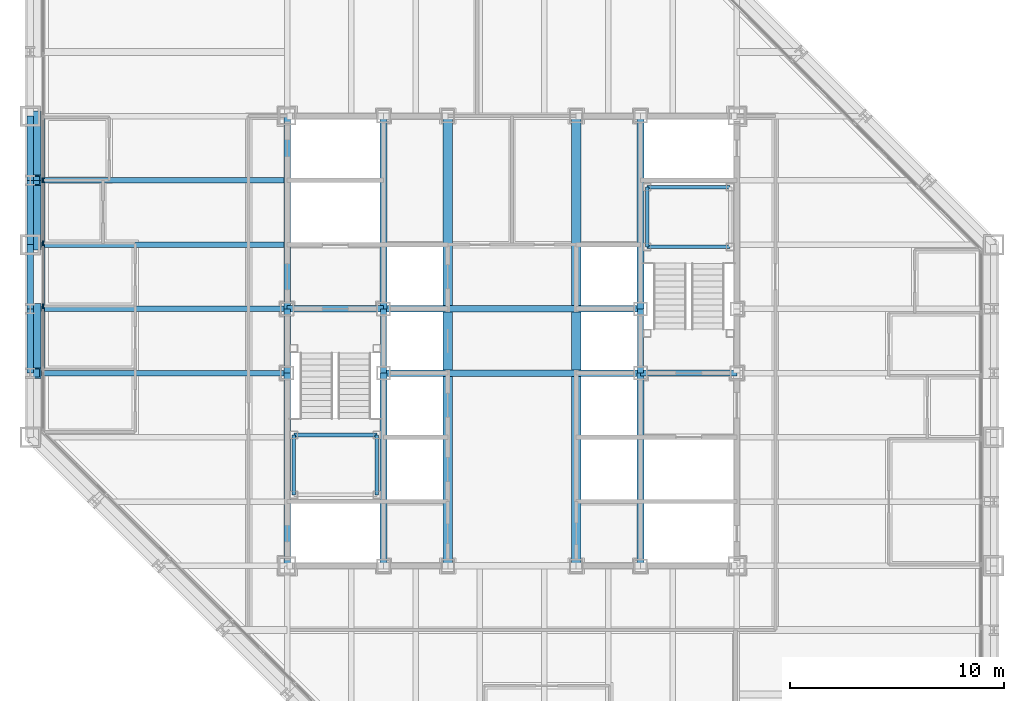
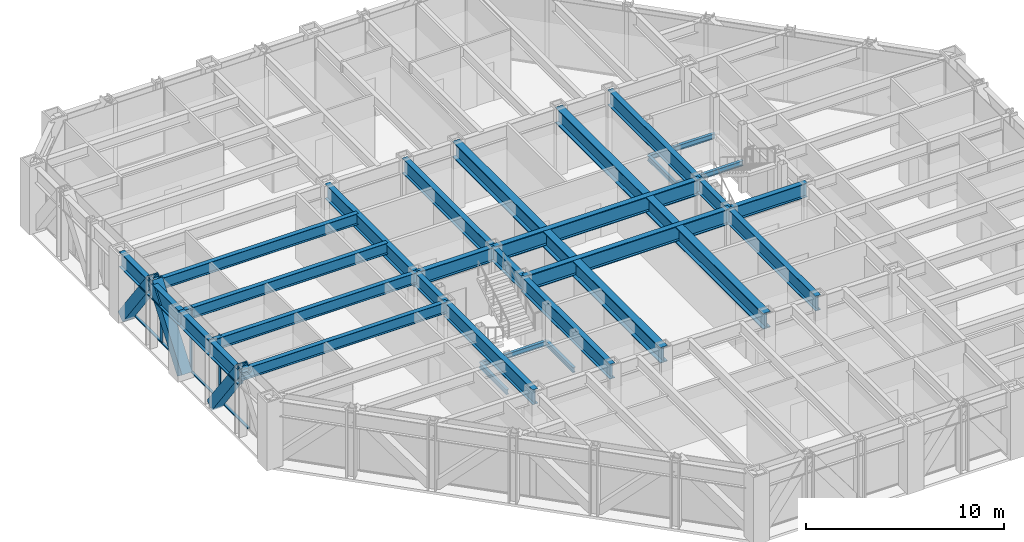
# One storey, part 5 of 16: 33 beams, 10 members, 1 element without a shape of its own.
"""IFC4 building model written with IfcOpenShell, lengths in metres."""

from ifc_helpers import new_model, si_unit, direction, frame, origin, origin_2d, place, context, subcontext, project, spatial, rectangle, hollow_rectangle, i_section, extrude, material, layer, layer_set, material_profile, profile_set, type_object, element, aggregate, save


model = new_model("IFC4")

# Units and contexts
model_context = context("Model", 3, precision=1e-05, world=origin(), true_north=direction((0.0, 1.0)))
body_context = subcontext(model_context, "Body", "Model", "MODEL_VIEW")
ifc_project = project(units=[si_unit("LENGTHUNIT", "METRE"), si_unit("AREAUNIT", "SQUARE_METRE"), si_unit("VOLUMEUNIT", "CUBIC_METRE"), si_unit("PLANEANGLEUNIT", "RADIAN"), si_unit("MASSUNIT", "GRAM", prefix="KILO")], contexts=[model_context])

# Site, building, storey
site_placement = place(None, origin())
site = spatial("IfcSite", under=ifc_project, at=site_placement, CompositionType="ELEMENT")
building_placement = place(site_placement, origin())
building = spatial("IfcBuilding", under=site, at=building_placement, Name="Chuquiago Exchange Tower", CompositionType="ELEMENT")
storey_placement = place(building_placement, frame((0.0, 0.0, 161.39990234375)))
storey = spatial("IfcBuildingStorey", under=building, at=storey_placement, Name="L35", CompositionType="ELEMENT", Elevation=161.39990234375)

# Beams
ifc_material_1 = material(Name="Steel ASTM A992", Category="steel")
ifc_material_profile_1 = material_profile(ifc_material_1, i_section(OverallWidth=0.25390625, OverallDepth=0.683349609375, WebThickness=0.012451171875, FlangeThickness=0.018798828125, at=origin_2d()), Name="W27X94")
ifc_profile_set_1 = profile_set([ifc_material_profile_1], Name="Steel ASTM A992")
beam_type_1 = type_object("IfcBeamType", Name="B1 W27X94", PredefinedType="BEAM", material=ifc_profile_set_1)
for number, where, z_axis, x_axis, name in (
    (1, (12.0, 21.0, 3.698486328125), (-1.0, 0.0, 0.0), (0.0, -1.0, 0.0), "FB-L36-infill-12_21--0_21-0"),
    (2, (12.0, 24.0, 3.698486328125), (-1.0, 0.0, 0.0), (0.0, -1.0, 0.0), "FB-L36-infill-12_24--0_24-0"),
    (3, (12.0, 27.0, 3.698486328125), (-1.0, 0.0, 0.0), (0.0, -1.0, 0.0), "FB-L36-infill-12_27--0_27-0"),
    (4, (12.0, 30.0, 3.698486328125), (-1.0, 0.0, 0.0), (0.0, -1.0, 0.0), "FB-L36-infill-12_30--0_30-0"),
):
    element("IfcBeam", number, at=place(storey_placement, frame(where, z_axis=z_axis, x_axis=x_axis)), inside=storey, type_object=beam_type_1, Name=name, PredefinedType="BEAM", context=body_context, shape_type="SweptSolid", body=[
        extrude(i_section(OverallWidth=0.25390625, OverallDepth=0.683349609375, WebThickness=0.012451171875, FlangeThickness=0.018798828125, at=origin_2d()), origin(), (0.0, 0.0, 1.0), 12.0),
    ])
ifc_material_2 = material(Name="Steel ASTM A992", Category="steel")
ifc_material_profile_2 = material_profile(ifc_material_2, i_section(OverallWidth=0.307373046875, OverallDepth=0.927001953125, WebThickness=0.01953125, FlangeThickness=0.031982421875, at=origin_2d()), Name="W36X194")
ifc_profile_set_2 = profile_set([ifc_material_profile_2], Name="Steel ASTM A992")
beam_type_2 = type_object("IfcBeamType", Name="B10 W36X194", PredefinedType="BEAM", material=ifc_profile_set_2)
for number, where, z_axis, x_axis, name in (
    (5, (12.0, 12.0, 3.576416015625), (0.0, 1.0, 0.0), (-1.0, 0.0, 0.0), "CB-L36-12_12-12_21"),
    (6, (12.0, 24.0, 3.576416015625), (0.0, 1.0, 0.0), (-1.0, 0.0, 0.0), "CB-L36-12_24-12_33"),
    (7, (16.5, 12.0, 3.576416015625), (0.0, 1.0, 0.0), (-1.0, 0.0, 0.0), "CB-L36-16.5_12-16.5_21"),
    (8, (16.5, 24.0, 3.576416015625), (0.0, 1.0, 0.0), (-1.0, 0.0, 0.0), "CB-L36-16.5_24-16.5_33"),
    (9, (28.5, 12.0, 3.576416015625), (0.0, 1.0, 0.0), (-1.0, 0.0, 0.0), "CB-L36-28.5_12-28.5_21"),
    (10, (28.5, 24.0, 3.576416015625), (0.0, 1.0, 0.0), (-1.0, 0.0, 0.0), "CB-L36-28.5_24-28.5_33"),
):
    element("IfcBeam", number, at=place(storey_placement, frame(where, z_axis=z_axis, x_axis=x_axis)), inside=storey, type_object=beam_type_2, Name=name, PredefinedType="BEAM", context=body_context, shape_type="SweptSolid", body=[
        extrude(i_section(OverallWidth=0.307373046875, OverallDepth=0.927001953125, WebThickness=0.01953125, FlangeThickness=0.031982421875, at=origin_2d()), origin(), (0.0, 0.0, 1.0), 9.0),
    ])
ifc_material_3 = material(Name="Steel ASTM A992", Category="steel")
ifc_material_profile_3 = material_profile(ifc_material_3, i_section(OverallWidth=0.309814453125, OverallDepth=0.949951171875, WebThickness=0.0244140625, FlangeThickness=0.0439453125, at=origin_2d()), Name="W36X256")
ifc_profile_set_3 = profile_set([ifc_material_profile_3], Name="Steel ASTM A992")
beam_type_3 = type_object("IfcBeamType", Name="B11 W36X256", PredefinedType="BEAM", material=ifc_profile_set_3)
for number, where, z_axis, x_axis, name in (
    (11, (16.5, 21.0, 3.565185546875), (1.0, 0.0, 0.0), (0.0, 1.0, 0.0), "CB-L36-16.5_21-28.5_21"),
    (12, (16.5, 24.0, 3.565185546875), (1.0, 0.0, 0.0), (0.0, 1.0, 0.0), "CB-L36-16.5_24-28.5_24"),
):
    element("IfcBeam", number, at=place(storey_placement, frame(where, z_axis=z_axis, x_axis=x_axis)), inside=storey, type_object=beam_type_3, Name=name, PredefinedType="BEAM", context=body_context, shape_type="SweptSolid", body=[
        extrude(i_section(OverallWidth=0.309814453125, OverallDepth=0.949951171875, WebThickness=0.0244140625, FlangeThickness=0.0439453125, at=origin_2d()), origin(), (0.0, 0.0, 1.0), 12.0),
    ])
ifc_material_4 = material(Name="Steel ASTM A992", Category="steel")
ifc_material_profile_4 = material_profile(ifc_material_4, i_section(OverallWidth=0.4267578125, OverallDepth=0.975341796875, WebThickness=0.031005859375, FlangeThickness=0.055908203125, at=origin_2d()), Name="W36X395")
ifc_profile_set_4 = profile_set([ifc_material_profile_4], Name="Steel ASTM A992")
beam_type_4 = type_object("IfcBeamType", Name="B12 W36X395", PredefinedType="BEAM", material=ifc_profile_set_4)
beam_1_placement = place(storey_placement, frame((19.5, 12.0, 3.552490234375), z_axis=(0.0, 1.0, 0.0), x_axis=(-1.0, 0.0, 0.0)))
element("IfcBeam", 13, at=beam_1_placement, inside=storey, type_object=beam_type_4, Name="CB-L36-19.5_12-19.5_20.8451", PredefinedType="BEAM", context=body_context, shape_type="SweptSolid", body=[
    extrude(i_section(OverallWidth=0.4267578125, OverallDepth=0.975341796875, WebThickness=0.031005859375, FlangeThickness=0.055908203125, at=origin_2d()), origin(), (0.0, 0.0, 1.0), 8.84521484375),
])
beam_2_placement = place(storey_placement, frame((19.5, 21.15478515625, 3.552490234375), z_axis=(0.0, 1.0, 0.0), x_axis=(-1.0, 0.0, 0.0)))
element("IfcBeam", 14, at=beam_2_placement, inside=storey, type_object=beam_type_4, Name="CB-L36-19.5_21.1549-19.5_23.8451", PredefinedType="BEAM", context=body_context, shape_type="SweptSolid", body=[
    extrude(i_section(OverallWidth=0.4267578125, OverallDepth=0.975341796875, WebThickness=0.031005859375, FlangeThickness=0.055908203125, at=origin_2d()), origin(), (0.0, 0.0, 1.0), 2.6904296875),
])
for number, where, z_axis, x_axis, name in (
    (15, (19.5, 24.15478515625, 3.552490234375), (0.0, 1.0, 0.0), (-1.0, 0.0, 0.0), "CB-L36-19.5_24.1549-19.5_33"),
    (16, (25.5, 12.0, 3.552490234375), (0.0, 1.0, 0.0), (-1.0, 0.0, 0.0), "CB-L36-25.5_12-25.5_20.8451"),
):
    element("IfcBeam", number, at=place(storey_placement, frame(where, z_axis=z_axis, x_axis=x_axis)), inside=storey, type_object=beam_type_4, Name=name, PredefinedType="BEAM", context=body_context, shape_type="SweptSolid", body=[
        extrude(i_section(OverallWidth=0.4267578125, OverallDepth=0.975341796875, WebThickness=0.031005859375, FlangeThickness=0.055908203125, at=origin_2d()), origin(), (0.0, 0.0, 1.0), 8.84521484375),
    ])
beam_3_placement = place(storey_placement, frame((25.5, 21.15478515625, 3.552490234375), z_axis=(0.0, 1.0, 0.0), x_axis=(-1.0, 0.0, 0.0)))
element("IfcBeam", 17, at=beam_3_placement, inside=storey, type_object=beam_type_4, Name="CB-L36-25.5_21.1549-25.5_23.8451", PredefinedType="BEAM", context=body_context, shape_type="SweptSolid", body=[
    extrude(i_section(OverallWidth=0.4267578125, OverallDepth=0.975341796875, WebThickness=0.031005859375, FlangeThickness=0.055908203125, at=origin_2d()), origin(), (0.0, 0.0, 1.0), 2.6904296875),
])
beam_4_placement = place(storey_placement, frame((25.5, 24.15478515625, 3.552490234375), z_axis=(0.0, 1.0, 0.0), x_axis=(-1.0, 0.0, 0.0)))
element("IfcBeam", 18, at=beam_4_placement, inside=storey, type_object=beam_type_4, Name="CB-L36-25.5_24.1549-25.5_33", PredefinedType="BEAM", context=body_context, shape_type="SweptSolid", body=[
    extrude(i_section(OverallWidth=0.4267578125, OverallDepth=0.975341796875, WebThickness=0.031005859375, FlangeThickness=0.055908203125, at=origin_2d()), origin(), (0.0, 0.0, 1.0), 8.84521484375),
])
ifc_material_5 = material(Name="Steel ASTM A992", Category="steel")
ifc_material_profile_5 = material_profile(ifc_material_5, i_section(OverallWidth=0.2919921875, OverallDepth=0.8583984375, WebThickness=0.01708984375, FlangeThickness=0.031005859375, at=origin_2d()), Name="W33X169")
ifc_profile_set_5 = profile_set([ifc_material_profile_5], Name="Steel ASTM A992")
beam_type_5 = type_object("IfcBeamType", Name="B3 W33X169", PredefinedType="BEAM", material=ifc_profile_set_5)
for number, where, z_axis, x_axis, name in (
    (19, (12.0, 21.0, 3.61083984375), (0.0, 1.0, 0.0), (-1.0, 0.0, 0.0), "CB-L36-12_21-12_24"),
    (20, (16.5, 21.0, 3.61083984375), (0.0, 1.0, 0.0), (-1.0, 0.0, 0.0), "CB-L36-16.5_21-16.5_24"),
    (21, (28.5, 21.0, 3.61083984375), (0.0, 1.0, 0.0), (-1.0, 0.0, 0.0), "CB-L36-28.5_21-28.5_24"),
):
    element("IfcBeam", number, at=place(storey_placement, frame(where, z_axis=z_axis, x_axis=x_axis)), inside=storey, type_object=beam_type_5, Name=name, PredefinedType="BEAM", context=body_context, shape_type="SweptSolid", body=[
        extrude(i_section(OverallWidth=0.2919921875, OverallDepth=0.8583984375, WebThickness=0.01708984375, FlangeThickness=0.031005859375, at=origin_2d()), origin(), (0.0, 0.0, 1.0), 3.0),
    ])
for number, where, z_axis, x_axis, name in (
    (22, (28.5, 21.0, 3.61083984375), (1.0, 0.0, 0.0), (0.0, 1.0, 0.0), "CB-L36-28.5_21-33_21"),
    (23, (12.0, 24.0, 3.61083984375), (1.0, 0.0, 0.0), (0.0, 1.0, 0.0), "CB-L36-12_24-16.5_24"),
):
    element("IfcBeam", number, at=place(storey_placement, frame(where, z_axis=z_axis, x_axis=x_axis)), inside=storey, type_object=beam_type_5, Name=name, PredefinedType="BEAM", context=body_context, shape_type="SweptSolid", body=[
        extrude(i_section(OverallWidth=0.2919921875, OverallDepth=0.8583984375, WebThickness=0.01708984375, FlangeThickness=0.031005859375, at=origin_2d()), origin(), (0.0, 0.0, 1.0), 4.5),
    ])

# Curtain wall, members
ifc_material_6 = material(Name="Aluminium curtain wall system", Category="aluminium")
ifc_layer = layer(ifc_material_6, 0.22509765625)
ifc_layer_set = layer_set([ifc_layer], Name="CW2 office curtain wall")
curtain_wall_type = type_object("IfcCurtainWallType", Name="CW2 office curtain wall", PredefinedType="NOTDEFINED", material=ifc_layer_set)
curtain_wall_placement = place(storey_placement, origin())
curtain_wall = element("IfcCurtainWall", 24, at=curtain_wall_placement, inside=storey, type_object=curtain_wall_type, Name="CW2 curtain wall L35", PredefinedType="NOTDEFINED")
ifc_material_7 = material(Name="Aluminium mullion, pale anodised", Category="aluminium")
ifc_material_profile_6 = material_profile(ifc_material_7, rectangle(XDim=0.06494140625, YDim=0.22509765625, at=origin_2d()), Name="AL 65x225")
ifc_profile_set_6 = profile_set([ifc_material_profile_6], Name="Aluminium mullion, pale anodised")
member_type_1 = type_object("IfcMemberType", Name="CW2-M mullion 65x225", PredefinedType="MULLION", material=ifc_profile_set_6)
member_1_placement = place(storey_placement, frame((0.60009765625, 30.0, 0.0), z_axis=(0.0, 0.0, 1.0), x_axis=(1.0, 0.0, 0.0)))
member_1 = element("IfcMember", 25, at=member_1_placement, type_object=member_type_1, Name="CW2 mullion 5", PredefinedType="MULLION", context=body_context, shape_type="SweptSolid", body=[
    extrude(rectangle(XDim=0.06494140625, YDim=0.22509765625, at=origin_2d()), origin(), (0.0, 0.0, 1.0), 4.0400390625),
])
member_2_placement = place(storey_placement, frame((0.60009765625, 27.06201171875, 0.0), z_axis=(0.0, 0.0, 1.0), x_axis=(1.0, 0.0, 0.0)))
member_2 = element("IfcMember", 26, at=member_2_placement, type_object=member_type_1, Name="CW2 mullion 6", PredefinedType="MULLION", context=body_context, shape_type="SweptSolid", body=[
    extrude(rectangle(XDim=0.06494140625, YDim=0.22509765625, at=origin_2d()), origin(), (0.0, 0.0, 1.0), 4.0400390625),
])
member_3_placement = place(storey_placement, frame((0.60009765625, 24.124267578125, 0.0), z_axis=(0.0, 0.0, 1.0), x_axis=(1.0, 0.0, 0.0)))
member_3 = element("IfcMember", 27, at=member_3_placement, type_object=member_type_1, Name="CW2 mullion 7", PredefinedType="MULLION", context=body_context, shape_type="SweptSolid", body=[
    extrude(rectangle(XDim=0.06494140625, YDim=0.22509765625, at=origin_2d()), origin(), (0.0, 0.0, 1.0), 4.0400390625),
])
ifc_material_8 = material(Name="Aluminium transom, pale anodised", Category="aluminium")
ifc_material_profile_7 = material_profile(ifc_material_8, rectangle(XDim=0.139892578125, YDim=0.06494140625, at=origin_2d()), Name="AL 140x65")
ifc_profile_set_7 = profile_set([ifc_material_profile_7], Name="Aluminium transom, pale anodised")
member_type_2 = type_object("IfcMemberType", Name="CW2-T transom 65x140", PredefinedType="MULLION", material=ifc_profile_set_7)
member_4_placement = place(storey_placement, frame((0.60009765625, 32.9052734375, 0.03271484375), z_axis=(0.0, -1.0, 0.0), x_axis=(1.0, 0.0, 0.0)))
member_4 = element("IfcMember", 28, at=member_4_placement, type_object=member_type_2, Name="CW2 transom 4.1", PredefinedType="MULLION", context=body_context, shape_type="SweptSolid", body=[
    extrude(rectangle(XDim=0.139892578125, YDim=0.06494140625, at=origin_2d()), origin(), (0.0, 0.0, 1.0), 2.872802734375),
])
member_5_placement = place(storey_placement, frame((0.60009765625, 29.967529296875, 0.03271484375), z_axis=(0.0, -1.0, 0.0), x_axis=(1.0, 0.0, 0.0)))
member_5 = element("IfcMember", 29, at=member_5_placement, type_object=member_type_2, Name="CW2 transom 5.1", PredefinedType="MULLION", context=body_context, shape_type="SweptSolid", body=[
    extrude(rectangle(XDim=0.139892578125, YDim=0.06494140625, at=origin_2d()), origin(), (0.0, 0.0, 1.0), 2.872802734375),
])
member_6_placement = place(storey_placement, frame((0.60009765625, 27.029541015625, 0.03271484375), z_axis=(0.0, -1.0, 0.0), x_axis=(1.0, 0.0, 0.0)))
member_6 = element("IfcMember", 30, at=member_6_placement, type_object=member_type_2, Name="CW2 transom 6.1", PredefinedType="MULLION", context=body_context, shape_type="SweptSolid", body=[
    extrude(rectangle(XDim=0.139892578125, YDim=0.06494140625, at=origin_2d()), origin(), (0.0, 0.0, 1.0), 2.872802734375),
])
member_7_placement = place(storey_placement, frame((0.60009765625, 24.091796875, 0.03271484375), z_axis=(0.0, -1.0, 0.0), x_axis=(1.0, 0.0, 0.0)))
member_7 = element("IfcMember", 31, at=member_7_placement, type_object=member_type_2, Name="CW2 transom 7.1", PredefinedType="MULLION", context=body_context, shape_type="SweptSolid", body=[
    extrude(rectangle(XDim=0.139892578125, YDim=0.06494140625, at=origin_2d()), origin(), (0.0, 0.0, 1.0), 2.872802734375),
])
aggregate(curtain_wall, [member_1, member_2, member_3, member_4, member_5, member_6, member_7])

# Beams
ifc_material_9 = material(Name="Steel ASTM A992", Category="steel")
ifc_material_profile_8 = material_profile(ifc_material_9, i_section(OverallWidth=0.164794921875, OverallDepth=0.309814453125, WebThickness=0.005859375, FlangeThickness=0.009765625, at=origin_2d()), Name="W12X26")
ifc_profile_set_8 = profile_set([ifc_material_profile_8], Name="Steel ASTM A992")
beam_type_6 = type_object("IfcBeamType", Name="LS1 W12X26", PredefinedType="BEAM", material=ifc_profile_set_8)
for number, where, z_axis, x_axis, name in (
    (32, (12.31005859375, 15.31005859375, 1.7451171875), (0.0, 1.0, 0.0), (-1.0, 0.0, 0.0), "Stair ST1 L35 landing 1 stringer"),
    (33, (16.18994140625, 15.31005859375, 1.7451171875), (0.0, 1.0, 0.0), (-1.0, 0.0, 0.0), "Stair ST1 L35 landing 1 stringer"),
    (34, (28.81005859375, 26.889892578125, 1.7451171875), (0.0, 1.0, 0.0), (-1.0, 0.0, 0.0), "Stair ST2 L35 landing 1 stringer"),
):
    element("IfcBeam", number, at=place(storey_placement, frame(where, z_axis=z_axis, x_axis=x_axis)), inside=storey, type_object=beam_type_6, Name=name, PredefinedType="BEAM", context=body_context, shape_type="SweptSolid", body=[
        extrude(i_section(OverallWidth=0.164794921875, OverallDepth=0.309814453125, WebThickness=0.005859375, FlangeThickness=0.009765625, at=origin_2d()), origin(), (0.0, 0.0, 1.0), 2.800048828125),
    ])
ifc_material_10 = material(Name="Steel ASTM A992", Category="steel")
ifc_material_profile_9 = material_profile(ifc_material_10, i_section(OverallWidth=0.164794921875, OverallDepth=0.309814453125, WebThickness=0.005859375, FlangeThickness=0.009765625, at=origin_2d()), Name="W12X26")
ifc_profile_set_9 = profile_set([ifc_material_profile_9], Name="Steel ASTM A992")
beam_type_7 = type_object("IfcBeamType", Name="LT1 W12X26", PredefinedType="BEAM", material=ifc_profile_set_9)
for number, where, z_axis, x_axis, name in (
    (35, (12.31005859375, 18.110107421875, 1.7451171875), (1.0, 0.0, 0.0), (0.0, 1.0, 0.0), "Stair ST1 L35 landing 1 trimmer"),
    (36, (28.81005859375, 29.68994140625, 1.7451171875), (1.0, 0.0, 0.0), (0.0, 1.0, 0.0), "Stair ST2 L35 landing 1 trimmer"),
    (37, (28.81005859375, 26.889892578125, 1.7451171875), (1.0, 0.0, 0.0), (0.0, 1.0, 0.0), "Stair ST2 L35 landing 1 trimmer"),
):
    element("IfcBeam", number, at=place(storey_placement, frame(where, z_axis=z_axis, x_axis=x_axis)), inside=storey, type_object=beam_type_7, Name=name, PredefinedType="BEAM", context=body_context, shape_type="SweptSolid", body=[
        extrude(i_section(OverallWidth=0.164794921875, OverallDepth=0.309814453125, WebThickness=0.005859375, FlangeThickness=0.009765625, at=origin_2d()), origin(), (0.0, 0.0, 1.0), 3.8798828125),
    ])

# Members
ifc_material_11 = material(Name="Steel ASTM A572 Grade 50", Category="steel")
ifc_material_profile_10 = material_profile(ifc_material_11, hollow_rectangle(XDim=0.60009765625, YDim=0.60009765625, WallThickness=0.06005859375, at=origin_2d()), Name="BOX600X600X60")
ifc_profile_set_10 = profile_set([ifc_material_profile_10], Name="Steel ASTM A572 Grade 50")
member_type_3 = type_object("IfcMemberType", Name="MB2 BOX600X600X60", PredefinedType="BRACE", material=ifc_profile_set_10)
for number, where, z_axis, x_axis, name in (
    (38, (0.205078125, 33.0, 0.0), (0.0, -0.596173923302, 0.802855312728), (1.0, 0.0, 0.0), "Mega diagonal L35 W face"),
    (39, (0.205078125, 27.0, 0.0), (0.0, 0.596173923302, 0.802855312728), (-1.0, 0.0, 0.0), "Mega diagonal L35 W face"),
    (40, (0.205078125, 24.0, 0.0), (0.0, -0.596173923302, 0.802855312728), (1.0, 0.0, 0.0), "Mega diagonal L35 W face"),
):
    element("IfcMember", number, at=place(storey_placement, frame(where, z_axis=z_axis, x_axis=x_axis)), inside=storey, type_object=member_type_3, Name=name, PredefinedType="BRACE", context=body_context, shape_type="SweptSolid", body=[
        extrude(hollow_rectangle(XDim=0.60009765625, YDim=0.60009765625, WallThickness=0.06005859375, at=origin_2d()), origin(), (0.0, 0.0, 1.0), 5.031982421875),
    ])

# Beams
ifc_material_12 = material(Name="Steel ASTM A992", Category="steel")
ifc_material_profile_11 = material_profile(ifc_material_12, i_section(OverallWidth=0.309814453125, OverallDepth=0.949951171875, WebThickness=0.0244140625, FlangeThickness=0.0439453125, at=origin_2d()), Name="W36X256")
ifc_profile_set_11 = profile_set([ifc_material_profile_11], Name="Steel ASTM A992")
beam_type_8 = type_object("IfcBeamType", Name="SP2 W36X256", PredefinedType="SPANDREL", material=ifc_profile_set_11)
for number, where, z_axis, x_axis, name in (
    (41, (0.0, 33.0, 3.565185546875), (0.0, -1.0, 0.0), (1.0, 0.0, 0.0), "SPB-L36-0_33-0_30"),
    (42, (0.0, 30.0, 3.565185546875), (0.0, -1.0, 0.0), (1.0, 0.0, 0.0), "SPB-L36-0_30-0_27"),
    (43, (0.0, 27.0, 3.565185546875), (0.0, -1.0, 0.0), (1.0, 0.0, 0.0), "SPB-L36-0_27-0_24"),
    (44, (0.0, 24.0, 3.565185546875), (0.0, -1.0, 0.0), (1.0, 0.0, 0.0), "SPB-L36-0_24-0_21"),
):
    element("IfcBeam", number, at=place(storey_placement, frame(where, z_axis=z_axis, x_axis=x_axis)), inside=storey, type_object=beam_type_8, Name=name, PredefinedType="SPANDREL", context=body_context, shape_type="SweptSolid", body=[
        extrude(i_section(OverallWidth=0.309814453125, OverallDepth=0.949951171875, WebThickness=0.0244140625, FlangeThickness=0.0439453125, at=origin_2d()), origin(), (0.0, 0.0, 1.0), 3.0),
    ])

save(model, "model.ifc")
